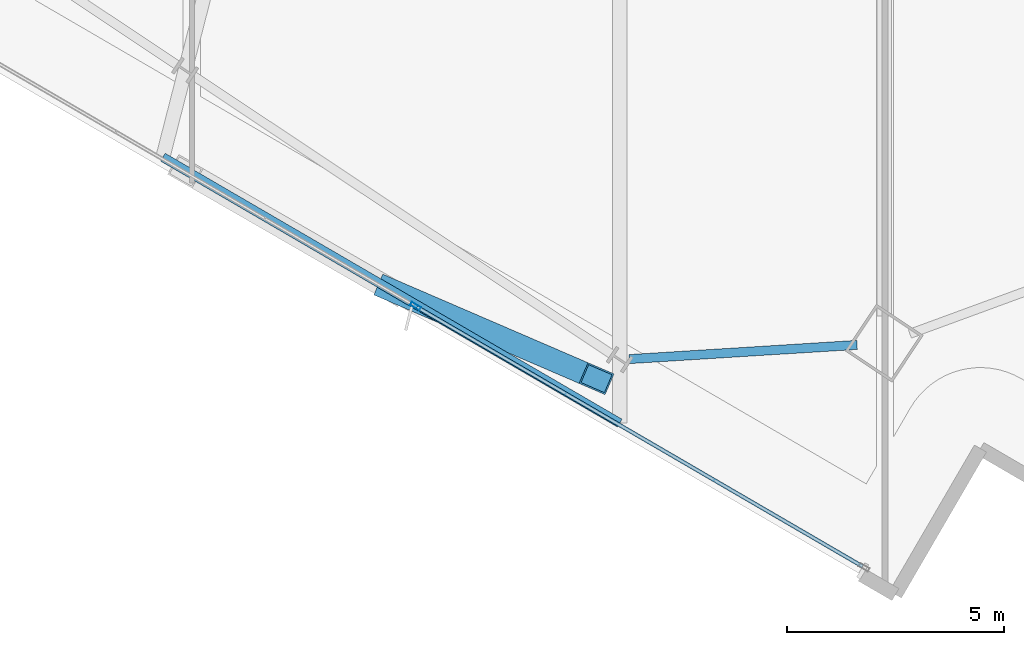
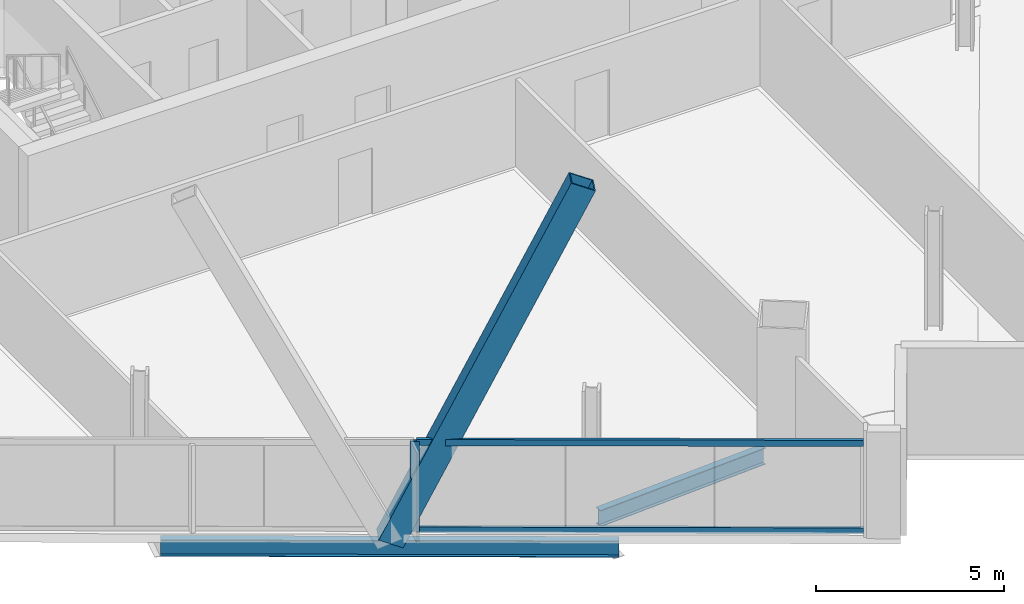
# One storey, part 3 of 29: 4 members, 2 beams, 1 element without a shape of its own.
"""IFC4 building model written with IfcOpenShell, lengths in metres."""

import ifcopenshell
import ifcopenshell.guid

model = None  # the IFC model being written
_history = None  # IfcOwnerHistory: only IFC2X3 demands one
_inside = {}  # id of a spatial element -> (the spatial element, [elements in it])
_under = {}  # id of a project, library or spatial element -> (it, [spatial elements below it])
_declared = {}  # id of a project -> (the project, [libraries it declares])
_typed = {}  # id of a type object -> (the type object, [elements of that type])
_made_of = {}  # id of a material, layer set ... -> (it, [elements and type objects made of it])


def new_model(schema):
    """Start an empty IFC model of exactly this schema.

    Asked for "IFC4X3", IfcOpenShell would pick the latest addendum, in which some entities
    have other attributes; the version numbers below select the first issue.
    IFC2X3 requires an IfcOwnerHistory on every rooted entity: one is made here for all.
    """
    global model, _history
    if schema == "IFC4X3":
        model = ifcopenshell.file(schema_version=(4, 3, 0, 0))
    else:
        model = ifcopenshell.file(schema=schema)
    _inside.clear()
    _under.clear()
    _declared.clear()
    _typed.clear()
    _made_of.clear()
    _history = None
    if model.schema == "IFC2X3":
        org = make("IfcOrganization", Name="unknown")
        user = make(
            "IfcPersonAndOrganization",
            ThePerson=make("IfcPerson", FamilyName="unknown"),
            TheOrganization=org,
        )
        app = make(
            "IfcApplication",
            ApplicationDeveloper=org,
            Version="unknown",
            ApplicationFullName="unknown",
            ApplicationIdentifier="unknown",
        )
        _history = make(
            "IfcOwnerHistory",
            OwningUser=user,
            OwningApplication=app,
            ChangeAction="ADDED",
            CreationDate=0,
        )
    return model


def make(cls, **values):
    """One entity of the class cls with the attributes given. An attribute that is None is left unset."""
    return model.create_entity(
        cls, **{name: value for name, value in values.items() if value is not None}
    )


def rooted(cls, **values):
    """An entity with a GlobalId (a new one), such as an element, a storey or a relation."""
    return make(cls, GlobalId=ifcopenshell.guid.new(), OwnerHistory=_history, **values)


def si_unit(unit_type, name, prefix=None):
    """IfcSIUnit, for example si_unit("LENGTHUNIT", "METRE", prefix="MILLI")."""
    return make("IfcSIUnit", UnitType=unit_type, Prefix=prefix, Name=name)


def assignment(units):
    """IfcUnitAssignment: the units of a project."""
    return None if units is None else make("IfcUnitAssignment", Units=units)


def point(xyz):
    """IfcCartesianPoint."""
    return None if xyz is None else make("IfcCartesianPoint", Coordinates=xyz)


def direction(xyz):
    """IfcDirection."""
    return None if xyz is None else make("IfcDirection", DirectionRatios=xyz)


def frame(location, z_axis=None, x_axis=None):
    """IfcAxis2Placement3D, a coordinate frame: its origin and axes. An axis left out is left unset."""
    return make(
        "IfcAxis2Placement3D",
        Location=point(location),
        Axis=direction(z_axis),
        RefDirection=direction(x_axis),
    )


def frame_2d(location, x_axis=None):
    """IfcAxis2Placement2D, a coordinate frame in the plane: its origin and x axis."""
    return make(
        "IfcAxis2Placement2D", Location=point(location), RefDirection=direction(x_axis)
    )


def origin():
    """The frame at (0, 0, 0) with its axes left unset."""
    return frame((0.0, 0.0, 0.0))


def origin_2d():
    """The frame at (0, 0) in the plane with its x axis left unset."""
    return frame_2d((0.0, 0.0))


def place(relative_to, where):
    """IfcLocalPlacement: puts the frame where relative to a parent placement (None: the world)."""
    return make(
        "IfcLocalPlacement", PlacementRelTo=relative_to, RelativePlacement=where
    )


def context(
    kind, dimensions, precision=None, world=None, true_north=None, identifier=None
):
    """IfcGeometricRepresentationContext, for example the 3D "Model" context."""
    return make(
        "IfcGeometricRepresentationContext",
        ContextIdentifier=identifier,
        ContextType=kind,
        CoordinateSpaceDimension=dimensions,
        Precision=precision,
        WorldCoordinateSystem=world,
        TrueNorth=true_north,
    )


def subcontext(parent, identifier, kind, view, scale=None):
    """IfcGeometricRepresentationSubContext, for example "Body" below "Model"."""
    return make(
        "IfcGeometricRepresentationSubContext",
        ContextIdentifier=identifier,
        ContextType=kind,
        ParentContext=parent,
        TargetScale=scale,
        TargetView=view,
    )


def project(units=None, contexts=None):
    """IfcProject with its units and contexts."""
    return rooted(
        "IfcProject",
        Name="project",
        RepresentationContexts=contexts,
        UnitsInContext=assignment(units),
    )


def spatial(cls, under=None, at=None, **own):
    """A site, building, storey or space (cls), placed at a placement, below another one or the project."""
    s = rooted(cls, ObjectPlacement=at, **own)
    if under is not None:
        _under.setdefault(under.id(), (under, []))[1].append(s)
    return s


def profile(cls, at=None, kind="AREA", **sizes):
    """A parametric profile (cls). Its sizes go by their IFC names, for example OverallWidth=200.0."""
    return make(cls, ProfileType=kind, Position=at, **sizes)


def hollow_rectangle(**sizes):
    """IfcRectangleHollowProfileDef."""
    return profile("IfcRectangleHollowProfileDef", **sizes)


def i_section(**sizes):
    """IfcIShapeProfileDef."""
    return profile("IfcIShapeProfileDef", **sizes)


def extrude(swept, where, along, depth):
    """IfcExtrudedAreaSolid: the profile swept, set in the frame where, extruded along a direction by depth."""
    return make(
        "IfcExtrudedAreaSolid",
        SweptArea=swept,
        Position=where,
        ExtrudedDirection=direction(along),
        Depth=depth,
    )


def shape(context_of_items, identifier, shape_type, items):
    """IfcShapeRepresentation: the items that make up one representation, for example the "Body"."""
    return make(
        "IfcShapeRepresentation",
        ContextOfItems=context_of_items,
        RepresentationIdentifier=identifier,
        RepresentationType=shape_type,
        Items=items,
    )


def material(Name=None, Category=None):
    """IfcMaterial."""
    return make("IfcMaterial", Name=Name, Category=Category)


def material_profile(
    of_material, cross_section, Name=None, Category=None, Priority=None
):
    """IfcMaterialProfile: a cross section and its material."""
    return make(
        "IfcMaterialProfile",
        Name=Name,
        Material=of_material,
        Profile=cross_section,
        Priority=Priority,
        Category=Category,
    )


def profile_set(profiles, Name=None, composite=None):
    """IfcMaterialProfileSet."""
    return make(
        "IfcMaterialProfileSet",
        Name=Name,
        MaterialProfiles=profiles,
        CompositeProfile=composite,
    )


def made_of(thing, what):
    """Note that an element or type object is made of a material, layer set ...; save() writes the relation."""
    if what is not None:
        _made_of.setdefault(what.id(), (what, []))[1].append(thing)
    return thing


def type_object(cls, material=None, **own):
    """A type object (cls), such as IfcWallType, which elements share."""
    return made_of(rooted(cls, **own), material)


def element(
    cls,
    number,
    at=None,
    inside=None,
    cuts=None,
    type_object=None,
    material=None,
    context=None,
    identifier="Body",
    shape_type=None,
    held_by="IfcProductDefinitionShape",
    body=None,
    shapes=None,
    **own,
):
    """One element of the class cls, such as IfcWall. Its Tag is "e" and its number.

    at: its placement. inside: the storey or other place that contains it. cuts: it is an
    opening in that element (IfcRelVoidsElement). A single representation is given by context,
    identifier, shape_type and body (its items); several are given by shapes. held_by: the class
    of the entity that holds the representations. save() writes the other relations.
    """
    e = rooted(cls, Tag="e%d" % number, ObjectPlacement=at, **own)
    if body is not None:
        shapes = [shape(context, identifier, shape_type, body)]
    if shapes is not None:
        e.Representation = make(held_by, Representations=shapes)
    if inside is not None:
        _inside.setdefault(inside.id(), (inside, []))[1].append(e)
    if cuts is not None:
        rooted(
            "IfcRelVoidsElement", RelatingBuildingElement=cuts, RelatedOpeningElement=e
        )
    if type_object is not None:
        _typed.setdefault(type_object.id(), (type_object, []))[1].append(e)
    return made_of(e, material)


def aggregate(whole, parts):
    """IfcRelAggregates: a whole, such as a stair, and the parts it consists of."""
    return rooted("IfcRelAggregates", RelatingObject=whole, RelatedObjects=parts)


def save(model, path):
    """Write the relations noted so far, then the file.

    IfcRelAggregates (storeys below a building ...), IfcRelContainedInSpatialStructure (elements
    in a storey), IfcRelDefinesByType, IfcRelAssociatesMaterial and IfcRelDeclares: one each for
    every whole, place, type object, material and project.
    """
    for whole, parts in _under.values():
        aggregate(whole, parts)
    for where, things in _inside.values():
        rooted(
            "IfcRelContainedInSpatialStructure",
            RelatedElements=things,
            RelatingStructure=where,
        )
    for kind, things in _typed.values():
        rooted("IfcRelDefinesByType", RelatedObjects=things, RelatingType=kind)
    for what, things in _made_of.values():
        rooted("IfcRelAssociatesMaterial", RelatedObjects=things, RelatingMaterial=what)
    for by, libraries in _declared.values():
        rooted("IfcRelDeclares", RelatingContext=by, RelatedDefinitions=libraries)
    model.write(path)


model = new_model("IFC4")

# Units and contexts
model_context = context("Model", 3, precision=1e-05, world=origin(), true_north=direction((0.0, 1.0)))
body_context = subcontext(model_context, "Body", "Model", "MODEL_VIEW")
ifc_project = project(units=[si_unit("LENGTHUNIT", "METRE"), si_unit("AREAUNIT", "SQUARE_METRE"), si_unit("VOLUMEUNIT", "CUBIC_METRE"), si_unit("PLANEANGLEUNIT", "RADIAN"), si_unit("MASSUNIT", "GRAM", prefix="KILO")], contexts=[model_context])

# Site, building, storey
site_placement = place(None, origin())
site = spatial("IfcSite", under=ifc_project, at=site_placement, CompositionType="ELEMENT")
building_placement = place(site_placement, origin())
building = spatial("IfcBuilding", under=site, at=building_placement, Name="Haldenkirk Collegiate Tower", CompositionType="ELEMENT")
storey_placement = place(building_placement, frame((0.0, 0.0, 228.449951171875)))
storey = spatial("IfcBuildingStorey", under=building, at=storey_placement, Name="L57", CompositionType="ELEMENT", Elevation=228.449951171875)

# Beams
ifc_material_1 = material(Name="Steel ASTM A992 Grade 50", Category="steel")
ifc_material_profile_1 = material_profile(ifc_material_1, i_section(OverallWidth=0.2099609375, OverallDepth=0.537109375, WebThickness=0.010986328125, FlangeThickness=0.017333984375, at=origin_2d()), Name="W21X68")
ifc_profile_set_1 = profile_set([ifc_material_profile_1], Name="Steel ASTM A992 Grade 50")
beam_type = type_object("IfcBeamType", Name="BM-SPANDREL-W21X68", PredefinedType="SPANDREL", material=ifc_profile_set_1)
beam_1_placement = place(storey_placement, frame((34.59326171875, 0.966064453125, -0.54833984375), z_axis=(0.99806607268, 0.062162002577, 0.0), x_axis=(-0.062162002577, 0.99806607268, 0.0)))
element("IfcBeam", 1, at=beam_1_placement, inside=storey, type_object=beam_type, Name="L57 perimeter spandrel beam 16", PredefinedType="SPANDREL", context=body_context, shape_type="SweptSolid", body=[
    extrude(i_section(OverallWidth=0.2099609375, OverallDepth=0.537109375, WebThickness=0.010986328125, FlangeThickness=0.017333984375, at=origin_2d()), origin(), (0.0, 0.0, 1.0), 5.270751953125),
])
beam_2_placement = place(storey_placement, frame((23.82958984375, 5.626708984375, -0.54833984375), z_axis=(0.864279867524, -0.503011243007, 0.0), x_axis=(0.503011243007, 0.864279867524, 0.0)))
element("IfcBeam", 2, at=beam_2_placement, inside=storey, type_object=beam_type, Name="L57 outer facade edge beam 4", PredefinedType="SPANDREL", context=body_context, shape_type="SweptSolid", body=[
    extrude(i_section(OverallWidth=0.2099609375, OverallDepth=0.537109375, WebThickness=0.010986328125, FlangeThickness=0.017333984375, at=origin_2d()), origin(), (0.0, 0.0, 1.0), 12.203369140625),
])

# Curtain wall, members
ifc_material_2 = material(Name="Anodised architectural bronze aluminium", Category="aluminium")
curtain_wall_type = type_object("IfcCurtainWallType", Name="CW-SYS1B-CONVEX-HI", PredefinedType="USERDEFINED", material=ifc_material_2)
curtain_wall_placement = place(storey_placement, origin())
curtain_wall = element("IfcCurtainWall", 3, at=curtain_wall_placement, inside=storey, type_object=curtain_wall_type, Name="L57 Upper tower high-wind convex bronze unitised curtain wall", ObjectType="UNITISED CURTAIN WALL", PredefinedType="USERDEFINED")
ifc_material_profile_2 = material_profile(ifc_material_2, hollow_rectangle(XDim=0.0849609375, YDim=0.25, WallThickness=0.0048828125, at=origin_2d()), Name="CW-MUL-1B")
ifc_profile_set_2 = profile_set([ifc_material_profile_2], Name="Anodised architectural bronze aluminium")
member_type_1 = type_object("IfcMemberType", Name="CW-MUL-1B", PredefinedType="MULLION", material=ifc_profile_set_2)
member_1_placement = place(storey_placement, frame((29.660888671875, 2.1865234375, 0.0), z_axis=(0.0, 0.0, 1.0), x_axis=(-0.503017981006, -0.864275945972, 0.0)))
member_1 = element("IfcMember", 4, at=member_1_placement, type_object=member_type_1, Name="CW-1B mullion 2", PredefinedType="MULLION", context=body_context, shape_type="SweptSolid", body=[
    extrude(hollow_rectangle(XDim=0.0849609375, YDim=0.25, WallThickness=0.0048828125, at=origin_2d()), origin(), (0.0, 0.0, 1.0), 2.927978515625),
])
ifc_material_profile_3 = material_profile(ifc_material_2, hollow_rectangle(XDim=0.0849609375, YDim=0.199951171875, WallThickness=0.0048828125, at=origin_2d()), Name="CW-TRN-1B")
ifc_profile_set_3 = profile_set([ifc_material_profile_3], Name="Anodised architectural bronze aluminium")
member_type_2 = type_object("IfcMemberType", Name="CW-TRN-1B", PredefinedType="USERDEFINED", material=ifc_profile_set_3)
member_2_placement = place(storey_placement, frame((39.98046875, -3.8193359375, 0.04248046875), z_axis=(-0.864277133636, 0.503015940378, 0.0), x_axis=(-0.503015940378, -0.864277133636, 0.0)))
member_2 = element("IfcMember", 5, at=member_2_placement, type_object=member_type_2, Name="CW-1B transom 1.1", ObjectType="TRANSOM", PredefinedType="USERDEFINED", context=body_context, shape_type="SweptSolid", body=[
    extrude(hollow_rectangle(XDim=0.0849609375, YDim=0.199951171875, WallThickness=0.0048828125, at=origin_2d()), origin(), (0.0, 0.0, 1.0), 11.8974609375),
])
member_3_placement = place(storey_placement, frame((39.98046875, -3.8193359375, 2.885498046875), z_axis=(-0.864277133636, 0.503015940378, 0.0), x_axis=(-0.503015940378, -0.864277133636, 0.0)))
member_3 = element("IfcMember", 6, at=member_3_placement, type_object=member_type_2, Name="CW-1B transom 1.2", ObjectType="TRANSOM", PredefinedType="USERDEFINED", context=body_context, shape_type="SweptSolid", body=[
    extrude(hollow_rectangle(XDim=0.0849609375, YDim=0.199951171875, WallThickness=0.0048828125, at=origin_2d()), origin(), (0.0, 0.0, 1.0), 11.8974609375),
])
aggregate(curtain_wall, [member_1, member_2, member_3])

# Member
ifc_material_3 = material(Name="Steel ASTM A572 Grade 50", Category="steel")
ifc_material_profile_4 = material_profile(ifc_material_3, hollow_rectangle(XDim=0.52001953125, YDim=0.719970703125, WallThickness=0.035888671875, at=origin_2d()), Name="BOX720X520X36")
ifc_profile_set_4 = profile_set([ifc_material_profile_4], Name="Steel ASTM A572 Grade 50")
member_type_3 = type_object("IfcMemberType", Name="MBR-MEGABRACE-BOX720X520X36", PredefinedType="BRACE", material=ifc_profile_set_4)
member_4_placement = place(storey_placement, frame((29.103271484375, 2.5576171875, -0.2900390625), z_axis=(0.384753000048, -0.16593650386, 0.90798139058), x_axis=(0.396019923379, 0.918241918171, 0.0)))
element("IfcMember", 7, at=member_4_placement, inside=storey, type_object=member_type_3, Name="Perimeter Mega Brace Z4 L57-L59 WR", PredefinedType="BRACE", context=body_context, shape_type="SweptSolid", body=[
    extrude(hollow_rectangle(XDim=0.52001953125, YDim=0.719970703125, WallThickness=0.035888671875, at=origin_2d()), origin(), (0.0, 0.0, 1.0), 12.313232421875),
])

save(model, "model.ifc")
